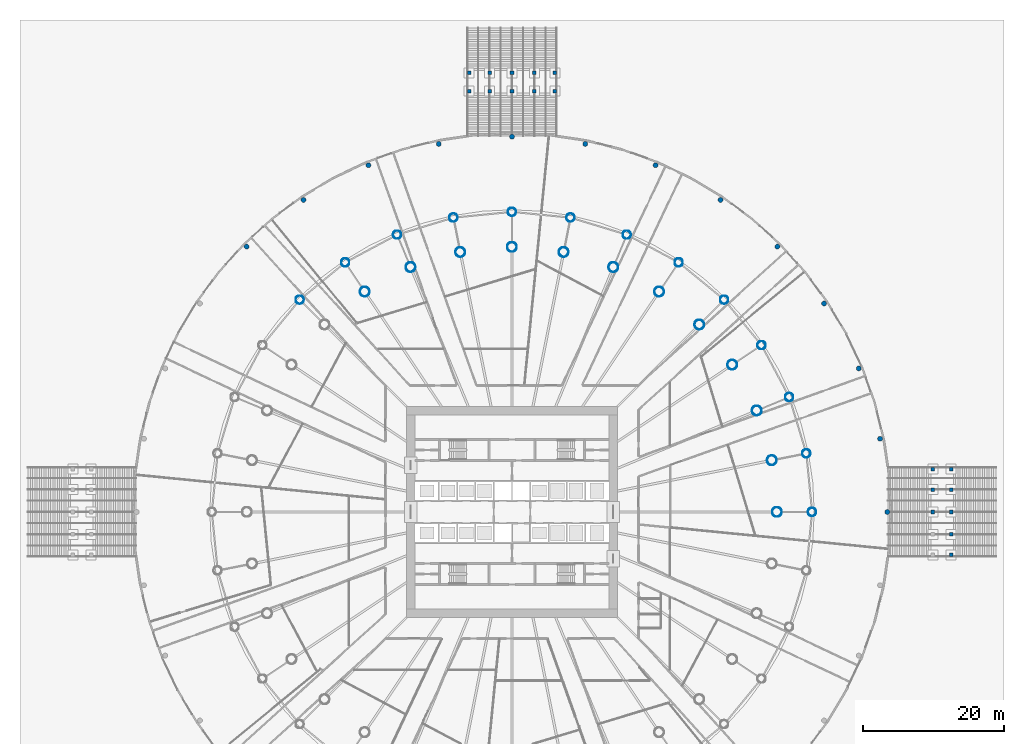
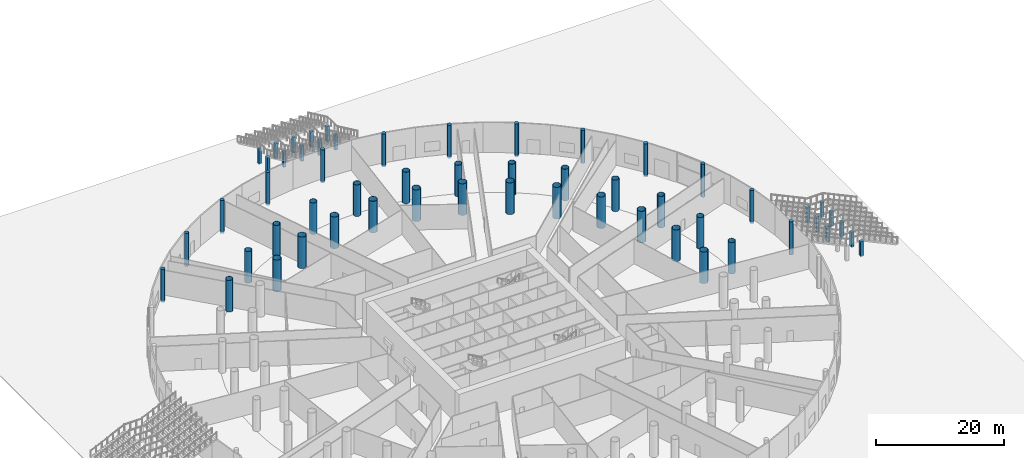
# One storey, part 4 of 33: 56 columns.
"""IFC4 building model written with IfcOpenShell, lengths in metres."""

from ifc_helpers import new_model, si_unit, direction, frame, origin, origin_2d, place, context, subcontext, project, spatial, rectangle, circle, hollow_circle, extrude, material, material_profile, profile_set, type_object, element, save


model = new_model("IFC4")

# Units and contexts
model_context = context("Model", 3, precision=1e-05, world=origin(), true_north=direction((0.0, 1.0)))
body_context = subcontext(model_context, "Body", "Model", "MODEL_VIEW")
ifc_project = project(units=[si_unit("LENGTHUNIT", "METRE"), si_unit("AREAUNIT", "SQUARE_METRE"), si_unit("VOLUMEUNIT", "CUBIC_METRE"), si_unit("PLANEANGLEUNIT", "RADIAN"), si_unit("MASSUNIT", "GRAM", prefix="KILO")], contexts=[model_context])

# Site, building, storey
site_placement = place(None, origin())
site = spatial("IfcSite", under=ifc_project, at=site_placement, CompositionType="ELEMENT")
building_placement = place(site_placement, origin())
building = spatial("IfcBuilding", under=site, at=building_placement, Name="Corvane Civic Tower", CompositionType="ELEMENT")
storey_placement = place(building_placement, origin())
storey = spatial("IfcBuildingStorey", under=building, at=storey_placement, Name="G", CompositionType="ELEMENT", Elevation=0.0)

# Columns
ifc_material_1 = material(Name="Steel ASTM A572 Gr 50", Category="steel")
ifc_material_profile_1 = material_profile(ifc_material_1, hollow_circle(Radius=0.60009765625, WallThickness=0.035888671875, at=origin_2d()), Name="CHS1200X36")
ifc_profile_set_1 = profile_set([ifc_material_profile_1], Name="Steel ASTM A572 Gr 50")
column_type_1 = type_object("IfcColumnType", Name="COMPOSITE COLUMN CHS1200X36", PredefinedType="COLUMN", material=ifc_profile_set_1)
for number, where, z_axis, x_axis, name in (
    (1, (0.0, 42.699951171875, 0.0), (0.0, 0.0, 1.0), (1.0, 0.0, 0.0), "COL-G-G01"),
    (2, (8.330322265625, 41.879638671875, 0.0), (0.0, 0.0, 1.0), (1.0, 0.0, 0.0), "COL-G-G02"),
    (3, (16.340576171875, 39.44970703125, 0.0), (0.0, 0.0, 1.0), (1.0, 0.0, 0.0), "COL-G-G03"),
    (4, (23.722900390625, 35.503662109375, 0.0), (0.0, 0.0, 1.0), (1.0, 0.0, 0.0), "COL-G-G04"),
    (5, (30.193359375, 30.193359375, 0.0), (0.0, 0.0, 1.0), (1.0, 0.0, 0.0), "COL-G-G05"),
    (6, (35.503662109375, 23.722900390625, 0.0), (0.0, 0.0, 1.0), (1.0, 0.0, 0.0), "COL-G-G06"),
    (7, (39.44970703125, 16.340576171875, 0.0), (0.0, 0.0, 1.0), (1.0, 0.0, 0.0), "COL-G-G07"),
    (8, (41.879638671875, 8.330322265625, 0.0), (0.0, 0.0, 1.0), (1.0, 0.0, 0.0), "COL-G-G08"),
    (9, (42.699951171875, 0.0, 0.0), (0.0, 0.0, 1.0), (1.0, 0.0, 0.0), "COL-G-G09"),
    (10, (-30.193359375, 30.193359375, 0.0), (0.0, 0.0, 1.0), (1.0, 0.0, 0.0), "COL-G-G29"),
    (11, (-23.722900390625, 35.503662109375, 0.0), (0.0, 0.0, 1.0), (1.0, 0.0, 0.0), "COL-G-G30"),
    (12, (-16.340576171875, 39.44970703125, 0.0), (0.0, 0.0, 1.0), (1.0, 0.0, 0.0), "COL-G-G31"),
    (13, (-8.330322265625, 41.879638671875, 0.0), (0.0, 0.0, 1.0), (1.0, 0.0, 0.0), "COL-G-G32"),
):
    element("IfcColumn", number, at=place(storey_placement, frame(where, z_axis=z_axis, x_axis=x_axis)), inside=storey, type_object=column_type_1, Name=name, PredefinedType="COLUMN", context=body_context, shape_type="SweptSolid", body=[
        extrude(hollow_circle(Radius=0.60009765625, WallThickness=0.035888671875, at=origin_2d()), origin(), (0.0, 0.0, 1.0), 6.0),
    ])
ifc_material_2 = material(Name="Steel ASTM A572 Gr 50", Category="steel")
ifc_material_profile_2 = material_profile(ifc_material_2, hollow_circle(Radius=0.699951171875, WallThickness=0.0400390625, at=origin_2d()), Name="CHS1400X40")
ifc_profile_set_2 = profile_set([ifc_material_profile_2], Name="Steel ASTM A572 Gr 50")
column_type_2 = type_object("IfcColumnType", Name="COMPOSITE COLUMN CHS1400X40", PredefinedType="COLUMN", material=ifc_profile_set_2)
for number, where, z_axis, x_axis, name in (
    (14, (0.0, 37.699951171875, 0.0), (0.0, 0.0, 1.0), (1.0, 0.0, 0.0), "COL-G-A01"),
    (15, (7.35498046875, 36.9755859375, 0.0), (0.0, 0.0, 1.0), (1.0, 0.0, 0.0), "COL-G-A02"),
    (16, (14.42724609375, 34.830322265625, 0.0), (0.0, 0.0, 1.0), (1.0, 0.0, 0.0), "COL-G-A03"),
    (17, (20.945068359375, 31.346435546875, 0.0), (0.0, 0.0, 1.0), (1.0, 0.0, 0.0), "COL-G-A04"),
    (18, (26.657958984375, 26.657958984375, 0.0), (0.0, 0.0, 1.0), (1.0, 0.0, 0.0), "COL-G-A05"),
    (19, (31.346435546875, 20.945068359375, 0.0), (0.0, 0.0, 1.0), (1.0, 0.0, 0.0), "COL-G-A06"),
    (20, (34.830322265625, 14.42724609375, 0.0), (0.0, 0.0, 1.0), (1.0, 0.0, 0.0), "COL-G-A07"),
    (21, (36.9755859375, 7.35498046875, 0.0), (0.0, 0.0, 1.0), (1.0, 0.0, 0.0), "COL-G-A08"),
    (22, (37.699951171875, 0.0, 0.0), (0.0, 0.0, 1.0), (1.0, 0.0, 0.0), "COL-G-A09"),
    (23, (-20.945068359375, 31.346435546875, 0.0), (0.0, 0.0, 1.0), (1.0, 0.0, 0.0), "COL-G-A30"),
    (24, (-14.42724609375, 34.830322265625, 0.0), (0.0, 0.0, 1.0), (1.0, 0.0, 0.0), "COL-G-A31"),
    (25, (-7.35498046875, 36.9755859375, 0.0), (0.0, 0.0, 1.0), (1.0, 0.0, 0.0), "COL-G-A32"),
):
    element("IfcColumn", number, at=place(storey_placement, frame(where, z_axis=z_axis, x_axis=x_axis)), inside=storey, type_object=column_type_2, Name=name, PredefinedType="COLUMN", context=body_context, shape_type="SweptSolid", body=[
        extrude(hollow_circle(Radius=0.699951171875, WallThickness=0.0400390625, at=origin_2d()), origin(), (0.0, 0.0, 1.0), 6.0),
    ])
ifc_material_3 = material(Name="Concrete C40/50", Category="concrete")
ifc_material_profile_3 = material_profile(ifc_material_3, rectangle(XDim=0.5, YDim=0.5, at=origin_2d()), Name="RC 500x500")
ifc_profile_set_3 = profile_set([ifc_material_profile_3], Name="Concrete C40/50")
column_type_3 = type_object("IfcColumnType", Name="PODIUM-C-STAIRPIER-500", PredefinedType="COLUMN", material=ifc_profile_set_3)
for number, where, z_axis, x_axis, name in (
    (26, (6.10009765625, 59.8798828125, -0.14990234375), (0.0, 0.0, 1.0), (0.0, 1.0, 0.0), "North stair landing pier 1"),
    (27, (3.199951171875, 59.8798828125, -0.14990234375), (0.0, 0.0, 1.0), (0.0, 1.0, 0.0), "North stair landing pier 2"),
    (28, (0.0, 59.8798828125, -0.14990234375), (0.0, 0.0, 1.0), (0.0, 1.0, 0.0), "North stair landing pier 3"),
    (29, (-3.199951171875, 59.8798828125, -0.14990234375), (0.0, 0.0, 1.0), (0.0, 1.0, 0.0), "North stair landing pier 4"),
    (30, (-6.10009765625, 59.8798828125, -0.14990234375), (0.0, 0.0, 1.0), (0.0, 1.0, 0.0), "North stair landing pier 5"),
    (31, (6.10009765625, 62.47998046875, -0.14990234375), (0.0, 0.0, 1.0), (0.0, 1.0, 0.0), "North stair landing pier 6"),
    (32, (3.199951171875, 62.47998046875, -0.14990234375), (0.0, 0.0, 1.0), (0.0, 1.0, 0.0), "North stair landing pier 7"),
    (33, (0.0, 62.47998046875, -0.14990234375), (0.0, 0.0, 1.0), (0.0, 1.0, 0.0), "North stair landing pier 8"),
    (34, (-3.199951171875, 62.47998046875, -0.14990234375), (0.0, 0.0, 1.0), (0.0, 1.0, 0.0), "North stair landing pier 9"),
    (35, (-6.10009765625, 62.47998046875, -0.14990234375), (0.0, 0.0, 1.0), (0.0, 1.0, 0.0), "North stair landing pier 10"),
    (36, (59.8798828125, 0.0, -0.14990234375), (0.0, 0.0, 1.0), (1.0, 0.0, 0.0), "East stair landing pier 3"),
    (37, (59.8798828125, 3.199951171875, -0.14990234375), (0.0, 0.0, 1.0), (1.0, 0.0, 0.0), "East stair landing pier 4"),
    (38, (59.8798828125, 6.10009765625, -0.14990234375), (0.0, 0.0, 1.0), (1.0, 0.0, 0.0), "East stair landing pier 5"),
    (39, (62.47998046875, -6.10009765625, -0.14990234375), (0.0, 0.0, 1.0), (1.0, 0.0, 0.0), "East stair landing pier 6"),
    (40, (62.47998046875, -3.199951171875, -0.14990234375), (0.0, 0.0, 1.0), (1.0, 0.0, 0.0), "East stair landing pier 7"),
    (41, (62.47998046875, 0.0, -0.14990234375), (0.0, 0.0, 1.0), (1.0, 0.0, 0.0), "East stair landing pier 8"),
    (42, (62.47998046875, 3.199951171875, -0.14990234375), (0.0, 0.0, 1.0), (1.0, 0.0, 0.0), "East stair landing pier 9"),
    (43, (62.47998046875, 6.10009765625, -0.14990234375), (0.0, 0.0, 1.0), (1.0, 0.0, 0.0), "East stair landing pier 10"),
):
    element("IfcColumn", number, at=place(storey_placement, frame(where, z_axis=z_axis, x_axis=x_axis)), inside=storey, type_object=column_type_3, Name=name, PredefinedType="COLUMN", context=body_context, shape_type="SweptSolid", body=[
        extrude(rectangle(XDim=0.5, YDim=0.5, at=origin_2d()), origin(), (0.0, 0.0, 1.0), 2.89990234375),
    ])
ifc_material_4 = material(Name="Concrete C50/60", Category="concrete")
ifc_material_profile_4 = material_profile(ifc_material_4, circle(Radius=0.35009765625, at=origin_2d()), Name="COLUMN 700")
ifc_profile_set_4 = profile_set([ifc_material_profile_4], Name="Concrete C50/60")
column_type_4 = type_object("IfcColumnType", Name="RC COLUMN COLUMN 700", PredefinedType="COLUMN", material=ifc_profile_set_4)
for number, where, z_axis, x_axis, name in (
    (44, (0.0, 53.39990234375, -0.300048828125), (0.0, 0.0, 1.0), (1.0, 0.0, 0.0), "COL-G-H01"),
    (45, (10.417724609375, 52.3740234375, -0.300048828125), (0.0, 0.0, 1.0), (1.0, 0.0, 0.0), "COL-G-H02"),
    (46, (20.435302734375, 49.335205078125, -0.300048828125), (0.0, 0.0, 1.0), (1.0, 0.0, 0.0), "COL-G-H03"),
    (47, (29.66748046875, 44.400390625, -0.300048828125), (0.0, 0.0, 1.0), (1.0, 0.0, 0.0), "COL-G-H04"),
    (48, (37.759521484375, 37.759521484375, -0.300048828125), (0.0, 0.0, 1.0), (1.0, 0.0, 0.0), "COL-G-H05"),
    (49, (44.400390625, 29.66748046875, -0.300048828125), (0.0, 0.0, 1.0), (1.0, 0.0, 0.0), "COL-G-H06"),
    (50, (49.335205078125, 20.435302734375, -0.300048828125), (0.0, 0.0, 1.0), (1.0, 0.0, 0.0), "COL-G-H07"),
    (51, (52.3740234375, 10.417724609375, -0.300048828125), (0.0, 0.0, 1.0), (1.0, 0.0, 0.0), "COL-G-H08"),
    (52, (53.39990234375, 0.0, -0.300048828125), (0.0, 0.0, 1.0), (1.0, 0.0, 0.0), "COL-G-H09"),
    (53, (-37.759521484375, 37.759521484375, -0.300048828125), (0.0, 0.0, 1.0), (1.0, 0.0, 0.0), "COL-G-H29"),
    (54, (-29.66748046875, 44.400390625, -0.300048828125), (0.0, 0.0, 1.0), (1.0, 0.0, 0.0), "COL-G-H30"),
    (55, (-20.435302734375, 49.335205078125, -0.300048828125), (0.0, 0.0, 1.0), (1.0, 0.0, 0.0), "COL-G-H31"),
    (56, (-10.417724609375, 52.3740234375, -0.300048828125), (0.0, 0.0, 1.0), (1.0, 0.0, 0.0), "COL-G-H32"),
):
    element("IfcColumn", number, at=place(storey_placement, frame(where, z_axis=z_axis, x_axis=x_axis)), inside=storey, type_object=column_type_4, Name=name, PredefinedType="COLUMN", context=body_context, shape_type="SweptSolid", body=[
        extrude(circle(Radius=0.35009765625, at=origin_2d()), origin(), (0.0, 0.0, 1.0), 6.300048828125),
    ])

save(model, "model.ifc")
